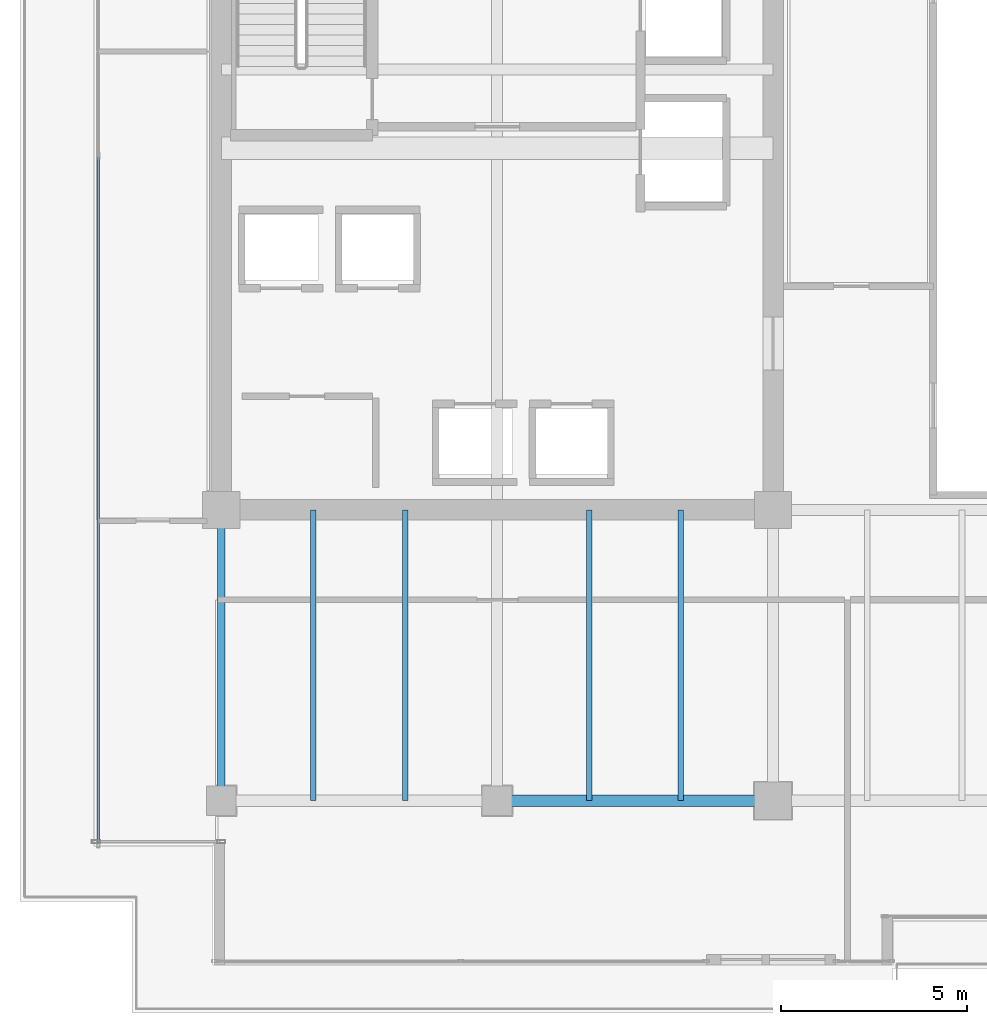
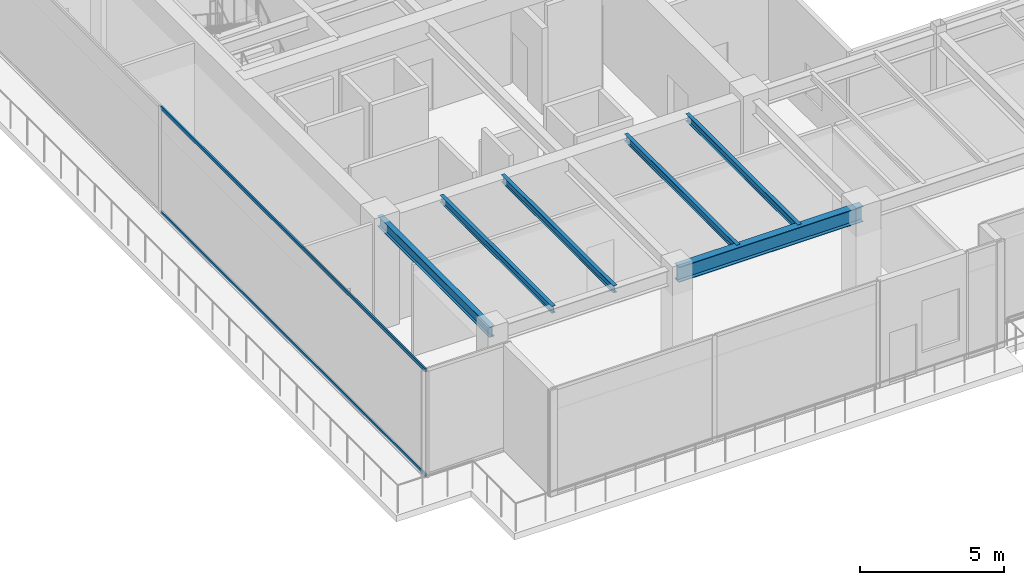
# One storey, part 6 of 37: 6 beams, 2 members, 1 element without a shape of its own.
"""IFC4 building model written with IfcOpenShell, lengths in metres."""

from ifc_helpers import new_model, si_unit, direction, frame, origin, origin_2d, place, context, subcontext, project, spatial, hollow_rectangle, i_section, extrude, source, transform, mapped, material, layer, layer_set, material_profile, profile_set, type_object, type_shapes, element, aggregate, save


model = new_model("IFC4")

# Units and contexts
model_context = context("Model", 3, precision=1e-05, world=origin(), true_north=direction((0.0, 1.0)))
body_context = subcontext(model_context, "Body", "Model", "MODEL_VIEW")
ifc_project = project(units=[si_unit("LENGTHUNIT", "METRE"), si_unit("AREAUNIT", "SQUARE_METRE"), si_unit("VOLUMEUNIT", "CUBIC_METRE"), si_unit("PLANEANGLEUNIT", "RADIAN"), si_unit("MASSUNIT", "GRAM", prefix="KILO")], contexts=[model_context])

# Site, building, storey
site_placement = place(None, origin())
site = spatial("IfcSite", under=ifc_project, at=site_placement, CompositionType="ELEMENT")
building_placement = place(site_placement, origin())
building = spatial("IfcBuilding", under=site, at=building_placement, Name="Haelvirn Gate Laboratories", CompositionType="ELEMENT")
storey_placement = place(building_placement, frame((0.0, 0.0, 196.60009765625)))
storey = spatial("IfcBuildingStorey", under=building, at=storey_placement, Name="L47", CompositionType="ELEMENT", Elevation=196.60009765625)

# Beams
ifc_material_1 = material(Name="Steel SM355", Category="steel")
ifc_material_profile_1 = material_profile(ifc_material_1, i_section(OverallWidth=0.14990234375, OverallDepth=0.300048828125, WebThickness=0.006591796875, FlangeThickness=0.009033203125, at=origin_2d()), Name="H-300x150x6.5x9")
ifc_profile_set_1 = profile_set([ifc_material_profile_1], Name="Steel SM355")
beam_type_1 = type_object("IfcBeamType", Name="BM-J-300", PredefinedType="JOIST", material=ifc_profile_set_1)
shared_shape_1 = source(origin(), body_context, "Body", "SweptSolid", [
    extrude(i_section(OverallWidth=0.14990234375, OverallDepth=0.300048828125, WebThickness=0.006591796875, FlangeThickness=0.009033203125, at=origin_2d()), origin(), (0.0, 0.0, 1.0), 7.800048828125),
])
type_shapes(beam_type_1, [shared_shape_1])
for number, where, z_axis, x_axis, name in (
    (1, (9.8701171875, 7.0, 4.349853515625), (0.0, 1.0, 0.0), (-1.0, 0.0, 0.0), "L47 Composite Lab Joist South X9.87"),
    (2, (12.330078125, 7.0, 4.349853515625), (0.0, 1.0, 0.0), (-1.0, 0.0, 0.0), "L47 Composite Lab Joist South X12.33"),
    (3, (17.27001953125, 7.0, 4.349853515625), (0.0, 1.0, 0.0), (-1.0, 0.0, 0.0), "L47 Composite Lab Joist South X17.27"),
    (4, (19.72998046875, 7.0, 4.349853515625), (0.0, 1.0, 0.0), (-1.0, 0.0, 0.0), "L47 Composite Lab Joist South X19.73"),
):
    element("IfcBeam", number, at=place(storey_placement, frame(where, z_axis=z_axis, x_axis=x_axis)), inside=storey, type_object=beam_type_1, Name=name, PredefinedType="JOIST", context=body_context, shape_type="MappedRepresentation", body=[
        mapped(shared_shape_1, transform((0.0, 0.0, 0.0), scale=1.0)),
    ])
ifc_material_profile_2 = material_profile(ifc_material_1, i_section(OverallWidth=0.300048828125, OverallDepth=0.64990234375, WebThickness=0.012939453125, FlangeThickness=0.02197265625, at=origin_2d()), Name="H-650x300x13x22")
ifc_profile_set_2 = profile_set([ifc_material_profile_2], Name="Steel SM355")
beam_type_2 = type_object("IfcBeamType", Name="BM-G-650", PredefinedType="BEAM", material=ifc_profile_set_2)
shared_shape_2 = source(origin(), body_context, "Body", "SweptSolid", [
    extrude(i_section(OverallWidth=0.300048828125, OverallDepth=0.64990234375, WebThickness=0.012939453125, FlangeThickness=0.02197265625, at=origin_2d()), origin(), (0.0, 0.0, 1.0), 7.39990234375),
])
type_shapes(beam_type_2, [shared_shape_2])
beam_1_placement = place(storey_placement, frame((14.800048828125, 7.0, 4.1748046875), z_axis=(1.0, 0.0, 0.0), x_axis=(0.0, 1.0, 0.0)))
element("IfcBeam", 5, at=beam_1_placement, inside=storey, type_object=beam_type_2, Name="L47 Primary Girder Y7.0 (14.8-22.2)", PredefinedType="BEAM", context=body_context, shape_type="MappedRepresentation", body=[
    mapped(shared_shape_2, transform((0.0, 0.0, 0.0), scale=1.0)),
])
ifc_material_profile_3 = material_profile(ifc_material_1, i_section(OverallWidth=0.199951171875, OverallDepth=0.449951171875, WebThickness=0.009033203125, FlangeThickness=0.013916015625, at=origin_2d()), Name="H-450x200x9x14")
ifc_profile_set_3 = profile_set([ifc_material_profile_3], Name="Steel SM355")
beam_type_3 = type_object("IfcBeamType", Name="BM-SP-450", PredefinedType="SPANDREL", material=ifc_profile_set_3)
shared_shape_3 = source(origin(), body_context, "Body", "SweptSolid", [
    extrude(i_section(OverallWidth=0.199951171875, OverallDepth=0.449951171875, WebThickness=0.009033203125, FlangeThickness=0.013916015625, at=origin_2d()), origin(), (0.0, 0.0, 1.0), 7.800048828125),
])
type_shapes(beam_type_3, [shared_shape_3])
beam_2_placement = place(storey_placement, frame((7.39990234375, 7.0, 4.27490234375), z_axis=(0.0, 1.0, 0.0), x_axis=(-1.0, 0.0, 0.0)))
element("IfcBeam", 6, at=beam_2_placement, inside=storey, type_object=beam_type_3, Name="L47 Perimeter Spandrel X7.4 (7.0-14.8)", PredefinedType="SPANDREL", context=body_context, shape_type="MappedRepresentation", body=[
    mapped(shared_shape_3, transform((0.0, 0.0, 0.0), scale=1.0)),
])

# Curtain wall, members
ifc_material_2 = material(Name="Anodised bronze unitised aluminium & triple low-E glass", Category="aluminium")
ifc_layer = layer(ifc_material_2, 0.176025390625, Name="CW-SYS-4")
ifc_layer_set = layer_set([ifc_layer], Name="Anodised bronze unitised aluminium & triple low-E glass")
curtain_wall_type = type_object("IfcCurtainWallType", Name="CW-SYS-4", PredefinedType="NOTDEFINED", material=ifc_layer_set)
curtain_wall_placement = place(storey_placement, origin())
curtain_wall = element("IfcCurtainWall", 7, at=curtain_wall_placement, inside=storey, type_object=curtain_wall_type, Name="L47 Unitised Curtain Wall CW-L47-P0-E17", PredefinedType="NOTDEFINED")
ifc_material_3 = material(Name="Extruded aluminium 6063-T6 (anodised bronze)", Category="aluminium")
ifc_material_profile_4 = material_profile(ifc_material_3, hollow_rectangle(XDim=0.06494140625, YDim=0.139892578125, WallThickness=0.00390625, at=origin_2d()), Name="CWT-140x65x4")
ifc_profile_set_4 = profile_set([ifc_material_profile_4], Name="Extruded aluminium 6063-T6 (anodised bronze)")
member_type = type_object("IfcMemberType", Name="CWT-T140", PredefinedType="USERDEFINED", material=ifc_profile_set_4)
shared_shape_4 = source(origin(), body_context, "Body", "SweptSolid", [
    extrude(hollow_rectangle(XDim=0.06494140625, YDim=0.139892578125, WallThickness=0.00390625, at=origin_2d()), origin(), (0.0, 0.0, 1.0), 18.394775390625),
])
type_shapes(member_type, [shared_shape_4])
member_1_placement = place(storey_placement, frame((4.10009765625, 24.264892578125, 0.032470703125), z_axis=(0.0, -1.0, 0.0), x_axis=(1.0, 0.0, 0.0)))
member_1 = element("IfcMember", 8, at=member_1_placement, type_object=member_type, Name="CW4 transom 2.1", ObjectType="TRANSOM", PredefinedType="USERDEFINED", context=body_context, shape_type="MappedRepresentation", body=[
    mapped(shared_shape_4, transform((0.0, 0.0, 0.0), scale=1.0)),
])
member_2_placement = place(storey_placement, frame((4.10009765625, 24.264892578125, 4.46728515625), z_axis=(0.0, -1.0, 0.0), x_axis=(1.0, 0.0, 0.0)))
member_2 = element("IfcMember", 9, at=member_2_placement, type_object=member_type, Name="CW4 transom 2.2", ObjectType="TRANSOM", PredefinedType="USERDEFINED", context=body_context, shape_type="MappedRepresentation", body=[
    mapped(shared_shape_4, transform((0.0, 0.0, 0.0), scale=1.0)),
])
aggregate(curtain_wall, [member_1, member_2])

save(model, "model.ifc")
